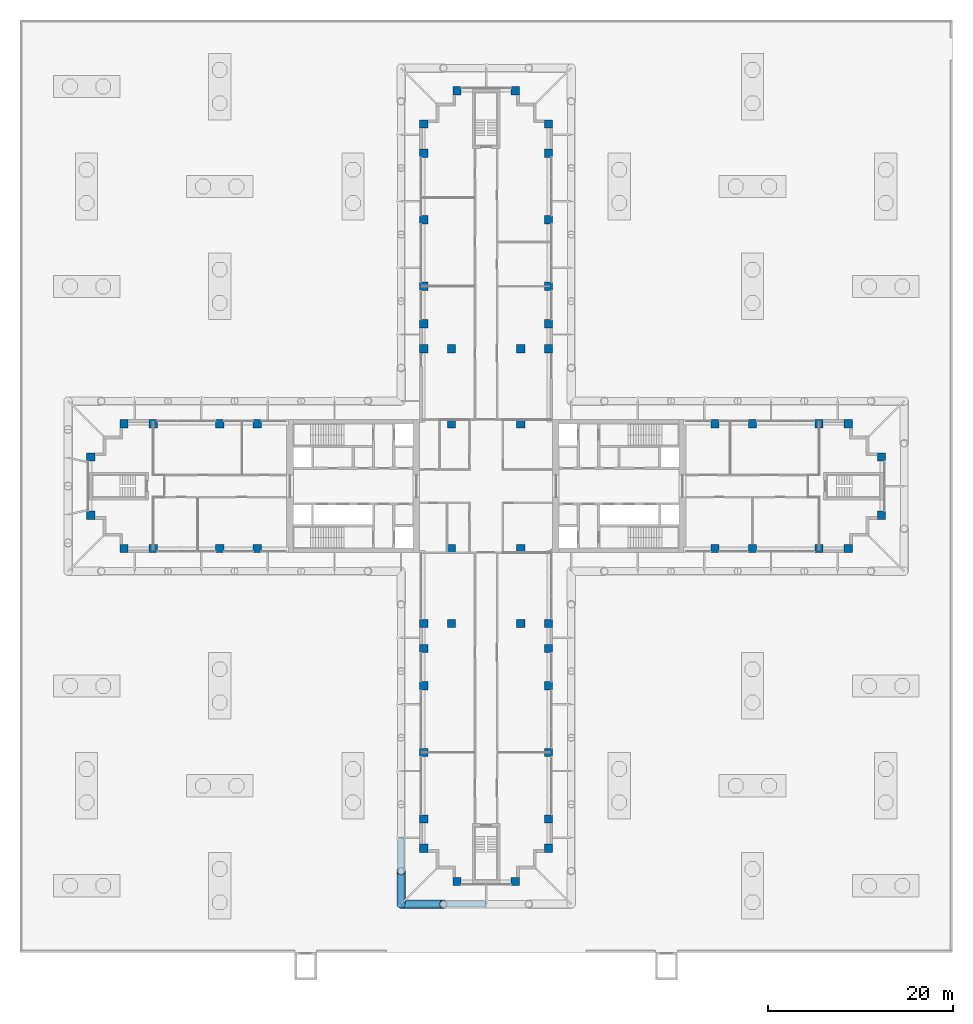
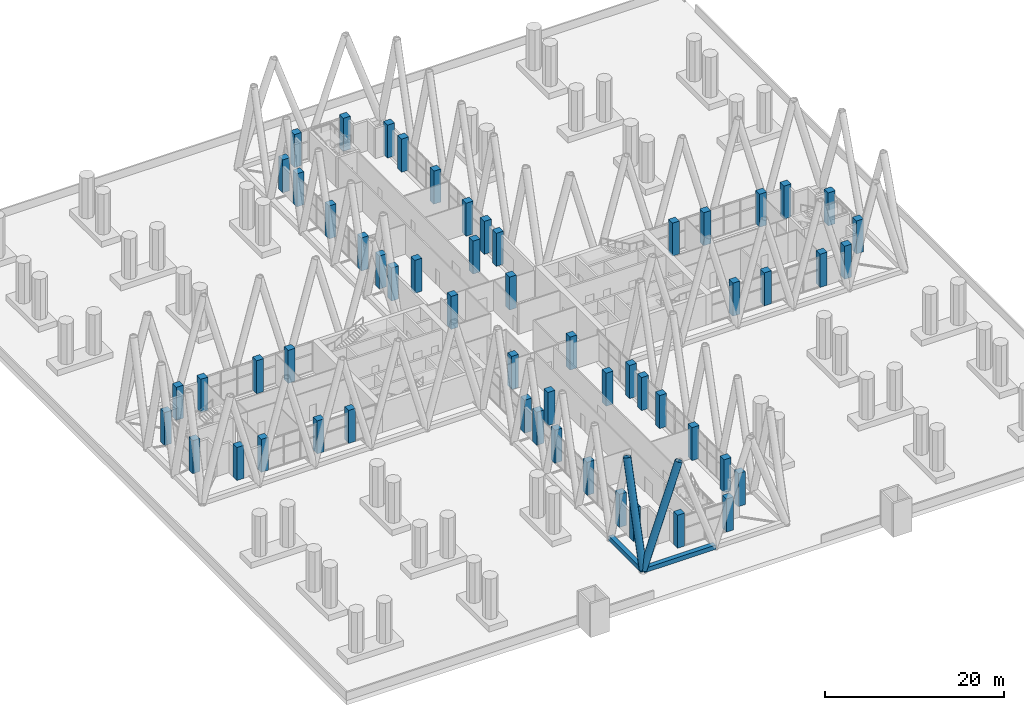
# One storey, part 1 of 31: 56 columns, 4 members.
"""IFC4 building model written with IfcOpenShell, lengths in metres."""

from ifc_helpers import new_model, si_unit, direction, frame, origin, origin_2d, place, context, subcontext, project, spatial, rectangle, hollow_rectangle, hollow_circle, extrude, material, material_profile, profile_set, type_object, element, save


model = new_model("IFC4")

# Units and contexts
model_context = context("Model", 3, precision=1e-05, world=origin(), true_north=direction((0.0, 1.0)))
body_context = subcontext(model_context, "Body", "Model", "MODEL_VIEW")
ifc_project = project(units=[si_unit("LENGTHUNIT", "METRE"), si_unit("AREAUNIT", "SQUARE_METRE"), si_unit("VOLUMEUNIT", "CUBIC_METRE"), si_unit("PLANEANGLEUNIT", "RADIAN"), si_unit("MASSUNIT", "GRAM", prefix="KILO")], contexts=[model_context])

# Site, building, storey
site_placement = place(None, origin())
site = spatial("IfcSite", under=ifc_project, at=site_placement, CompositionType="ELEMENT")
building_placement = place(site_placement, origin())
building = spatial("IfcBuilding", under=site, at=building_placement, Name="Fustian Cross Tower", CompositionType="ELEMENT")
storey_placement = place(building_placement, frame((0.0, 0.0, 7.199951171875)))
storey = spatial("IfcBuildingStorey", under=building, at=storey_placement, Name="L01", CompositionType="ELEMENT", Elevation=7.199951171875)

# Columns
ifc_material_1 = material(Name="Concrete C70/85", Category="concrete")
ifc_material_profile_1 = material_profile(ifc_material_1, rectangle(XDim=0.89990234375, YDim=0.89990234375, at=origin_2d()), Name="RC 900x900")
ifc_profile_set_1 = profile_set([ifc_material_profile_1], Name="Concrete C70/85")
column_type = type_object("IfcColumnType", Name="COLUMN RC 900x900 C70/85", PredefinedType="COLUMN", material=ifc_profile_set_1)
for number, where, z_axis, x_axis, name in (
    (1, (-42.75, -3.14990234375, 0.0), (0.0, 0.0, 1.0), (1.0, 0.0, 0.0), "COLUMN 001"),
    (2, (-42.75, 3.14990234375, 0.0), (0.0, 0.0, 1.0), (1.0, 0.0, 0.0), "COLUMN 002"),
    (3, (-39.14990234375, -6.75, 0.0), (0.0, 0.0, 1.0), (1.0, 0.0, 0.0), "COLUMN 003"),
    (4, (-39.14990234375, 6.75, 0.0), (0.0, 0.0, 1.0), (1.0, 0.0, 0.0), "COLUMN 004"),
    (5, (-36.0, -6.75, 0.0), (0.0, 0.0, 1.0), (1.0, 0.0, 0.0), "COLUMN 005"),
    (6, (-36.0, 6.75, 0.0), (0.0, 0.0, 1.0), (1.0, 0.0, 0.0), "COLUMN 006"),
    (7, (-28.800048828125, -6.75, 0.0), (0.0, 0.0, 1.0), (1.0, 0.0, 0.0), "COLUMN 007"),
    (8, (-28.800048828125, 6.75, 0.0), (0.0, 0.0, 1.0), (1.0, 0.0, 0.0), "COLUMN 010"),
    (9, (-24.75, -6.75, 0.0), (0.0, 0.0, 1.0), (1.0, 0.0, 0.0), "COLUMN 011"),
    (10, (-24.75, 6.75, 0.0), (0.0, 0.0, 1.0), (1.0, 0.0, 0.0), "COLUMN 012"),
    (11, (-6.75, -39.14990234375, 0.0), (0.0, 0.0, 1.0), (1.0, 0.0, 0.0), "COLUMN 013"),
    (12, (-6.75, -36.0, 0.0), (0.0, 0.0, 1.0), (1.0, 0.0, 0.0), "COLUMN 014"),
    (13, (-6.75, -28.800048828125, 0.0), (0.0, 0.0, 1.0), (1.0, 0.0, 0.0), "COLUMN 015"),
    (14, (-6.75, -21.60009765625, 0.0), (0.0, 0.0, 1.0), (1.0, 0.0, 0.0), "COLUMN 016"),
    (15, (-6.75, -17.550048828125, 0.0), (0.0, 0.0, 1.0), (1.0, 0.0, 0.0), "COLUMN 017"),
    (16, (-6.75, -14.85009765625, 0.0), (0.0, 0.0, 1.0), (1.0, 0.0, 0.0), "COLUMN 018"),
    (17, (-6.75, 14.85009765625, 0.0), (0.0, 0.0, 1.0), (1.0, 0.0, 0.0), "COLUMN 019"),
    (18, (-6.75, 17.550048828125, 0.0), (0.0, 0.0, 1.0), (1.0, 0.0, 0.0), "COLUMN 020"),
    (19, (-6.75, 21.60009765625, 0.0), (0.0, 0.0, 1.0), (1.0, 0.0, 0.0), "COLUMN 021"),
    (20, (-6.75, 28.800048828125, 0.0), (0.0, 0.0, 1.0), (1.0, 0.0, 0.0), "COLUMN 022"),
    (21, (-6.75, 36.0, 0.0), (0.0, 0.0, 1.0), (1.0, 0.0, 0.0), "COLUMN 023"),
    (22, (-6.75, 39.14990234375, 0.0), (0.0, 0.0, 1.0), (1.0, 0.0, 0.0), "COLUMN 024"),
    (23, (-3.75, -14.85009765625, 0.0), (0.0, 0.0, 1.0), (1.0, 0.0, 0.0), "COLUMN 025"),
    (24, (-3.75, -6.75, 0.0), (0.0, 0.0, 1.0), (1.0, 0.0, 0.0), "COLUMN 026"),
    (25, (-3.75, 6.75, 0.0), (0.0, 0.0, 1.0), (1.0, 0.0, 0.0), "COLUMN 027"),
    (26, (-3.75, 14.85009765625, 0.0), (0.0, 0.0, 1.0), (1.0, 0.0, 0.0), "COLUMN 028"),
    (27, (-3.14990234375, -42.75, 0.0), (0.0, 0.0, 1.0), (1.0, 0.0, 0.0), "COLUMN 029"),
    (28, (-3.14990234375, 42.75, 0.0), (0.0, 0.0, 1.0), (1.0, 0.0, 0.0), "COLUMN 032"),
    (29, (3.14990234375, -42.75, 0.0), (0.0, 0.0, 1.0), (1.0, 0.0, 0.0), "COLUMN 033"),
    (30, (3.14990234375, 42.75, 0.0), (0.0, 0.0, 1.0), (1.0, 0.0, 0.0), "COLUMN 036"),
    (31, (3.75, -14.85009765625, 0.0), (0.0, 0.0, 1.0), (1.0, 0.0, 0.0), "COLUMN 037"),
    (32, (3.75, -6.75, 0.0), (0.0, 0.0, 1.0), (1.0, 0.0, 0.0), "COLUMN 038"),
    (33, (3.75, 6.75, 0.0), (0.0, 0.0, 1.0), (1.0, 0.0, 0.0), "COLUMN 039"),
    (34, (3.75, 14.85009765625, 0.0), (0.0, 0.0, 1.0), (1.0, 0.0, 0.0), "COLUMN 040"),
    (35, (6.75, -39.14990234375, 0.0), (0.0, 0.0, 1.0), (1.0, 0.0, 0.0), "COLUMN 041"),
    (36, (6.75, -36.0, 0.0), (0.0, 0.0, 1.0), (1.0, 0.0, 0.0), "COLUMN 042"),
    (37, (6.75, -28.800048828125, 0.0), (0.0, 0.0, 1.0), (1.0, 0.0, 0.0), "COLUMN 043"),
    (38, (6.75, -21.60009765625, 0.0), (0.0, 0.0, 1.0), (1.0, 0.0, 0.0), "COLUMN 044"),
    (39, (6.75, -17.550048828125, 0.0), (0.0, 0.0, 1.0), (1.0, 0.0, 0.0), "COLUMN 045"),
    (40, (6.75, -14.85009765625, 0.0), (0.0, 0.0, 1.0), (1.0, 0.0, 0.0), "COLUMN 046"),
    (41, (6.75, 14.85009765625, 0.0), (0.0, 0.0, 1.0), (1.0, 0.0, 0.0), "COLUMN 047"),
    (42, (6.75, 17.550048828125, 0.0), (0.0, 0.0, 1.0), (1.0, 0.0, 0.0), "COLUMN 048"),
    (43, (6.75, 21.60009765625, 0.0), (0.0, 0.0, 1.0), (1.0, 0.0, 0.0), "COLUMN 049"),
    (44, (6.75, 28.800048828125, 0.0), (0.0, 0.0, 1.0), (1.0, 0.0, 0.0), "COLUMN 050"),
    (45, (6.75, 36.0, 0.0), (0.0, 0.0, 1.0), (1.0, 0.0, 0.0), "COLUMN 051"),
    (46, (6.75, 39.14990234375, 0.0), (0.0, 0.0, 1.0), (1.0, 0.0, 0.0), "COLUMN 052"),
    (47, (24.75, -6.75, 0.0), (0.0, 0.0, 1.0), (1.0, 0.0, 0.0), "COLUMN 053"),
    (48, (24.75, 6.75, 0.0), (0.0, 0.0, 1.0), (1.0, 0.0, 0.0), "COLUMN 054"),
    (49, (28.800048828125, -6.75, 0.0), (0.0, 0.0, 1.0), (1.0, 0.0, 0.0), "COLUMN 055"),
    (50, (28.800048828125, 6.75, 0.0), (0.0, 0.0, 1.0), (1.0, 0.0, 0.0), "COLUMN 058"),
    (51, (36.0, -6.75, 0.0), (0.0, 0.0, 1.0), (1.0, 0.0, 0.0), "COLUMN 059"),
    (52, (36.0, 6.75, 0.0), (0.0, 0.0, 1.0), (1.0, 0.0, 0.0), "COLUMN 060"),
    (53, (39.14990234375, -6.75, 0.0), (0.0, 0.0, 1.0), (1.0, 0.0, 0.0), "COLUMN 061"),
    (54, (39.14990234375, 6.75, 0.0), (0.0, 0.0, 1.0), (1.0, 0.0, 0.0), "COLUMN 062"),
    (55, (42.75, -3.14990234375, 0.0), (0.0, 0.0, 1.0), (1.0, 0.0, 0.0), "COLUMN 063"),
    (56, (42.75, 3.14990234375, 0.0), (0.0, 0.0, 1.0), (1.0, 0.0, 0.0), "COLUMN 064"),
):
    element("IfcColumn", number, at=place(storey_placement, frame(where, z_axis=z_axis, x_axis=x_axis)), inside=storey, type_object=column_type, Name=name, PredefinedType="COLUMN", context=body_context, shape_type="SweptSolid", body=[
        extrude(rectangle(XDim=0.89990234375, YDim=0.89990234375, at=origin_2d()), origin(), (0.0, 0.0, 1.0), 4.5),
    ])

# Members
ifc_material_2 = material(Name="Steel S355", Category="steel")
ifc_material_profile_2 = material_profile(ifc_material_2, hollow_circle(Radius=0.457275390625, WallThickness=0.050048828125, at=origin_2d()), Name="CHS 914x50")
ifc_profile_set_2 = profile_set([ifc_material_profile_2], Name="Steel S355")
member_type_1 = type_object("IfcMemberType", Name="DIAGRID DIAGONAL CHS 914x50", PredefinedType="BRACE", material=ifc_profile_set_2)
member_1_placement = place(storey_placement, frame((-9.199951171875, -45.199951171875, 0.300048828125), z_axis=(0.0, 0.263108346568, 0.964766291889), x_axis=(-1.0, 0.0, 0.0)))
element("IfcMember", 57, at=member_1_placement, inside=storey, type_object=member_type_1, Name="Diagrid diagonal S-W 10", PredefinedType="BRACE", context=body_context, shape_type="SweptSolid", body=[
    extrude(hollow_circle(Radius=0.457275390625, WallThickness=0.050048828125, at=origin_2d()), origin(), (0.0, 0.0, 1.0), 13.68212890625),
])
member_2_placement = place(storey_placement, frame((-9.199951171875, -45.199951171875, 0.300048828125), z_axis=(0.329067242605, 0.0, 0.944306491476), x_axis=(0.0, 1.0, 0.0)))
element("IfcMember", 58, at=member_2_placement, inside=storey, type_object=member_type_1, Name="Diagrid diagonal S-end 01", PredefinedType="BRACE", context=body_context, shape_type="SweptSolid", body=[
    extrude(hollow_circle(Radius=0.457275390625, WallThickness=0.050048828125, at=origin_2d()), origin(), (0.0, 0.0, 1.0), 13.978515625),
])
ifc_material_3 = material(Name="Steel S355", Category="steel")
ifc_material_profile_3 = material_profile(ifc_material_3, hollow_rectangle(XDim=0.60009765625, YDim=0.60009765625, WallThickness=0.030029296875, at=origin_2d()), Name="RHS 600x600x30")
ifc_profile_set_3 = profile_set([ifc_material_profile_3], Name="Steel S355")
member_type_2 = type_object("IfcMemberType", Name="DIAGRID RING RHS 600x600x30", PredefinedType="MEMBER", material=ifc_profile_set_3)
member_3_placement = place(storey_placement, frame((-9.199951171875, -38.0, 0.300048828125), z_axis=(0.0, -1.0, 0.0), x_axis=(1.0, 0.0, 0.0)))
element("IfcMember", 59, at=member_3_placement, inside=storey, type_object=member_type_2, Name="Diagrid ring L01-36 L01-37", PredefinedType="MEMBER", context=body_context, shape_type="SweptSolid", body=[
    extrude(hollow_rectangle(XDim=0.60009765625, YDim=0.60009765625, WallThickness=0.030029296875, at=origin_2d()), origin(), (0.0, 0.0, 1.0), 7.199951171875),
])
member_4_placement = place(storey_placement, frame((-9.199951171875, -45.199951171875, 0.300048828125), z_axis=(1.0, 0.0, 0.0), x_axis=(0.0, 1.0, 0.0)))
element("IfcMember", 60, at=member_4_placement, inside=storey, type_object=member_type_2, Name="Diagrid ring L01-37 L01-38", PredefinedType="MEMBER", context=body_context, shape_type="SweptSolid", body=[
    extrude(hollow_rectangle(XDim=0.60009765625, YDim=0.60009765625, WallThickness=0.030029296875, at=origin_2d()), origin(), (0.0, 0.0, 1.0), 9.199951171875),
])

save(model, "model.ifc")
